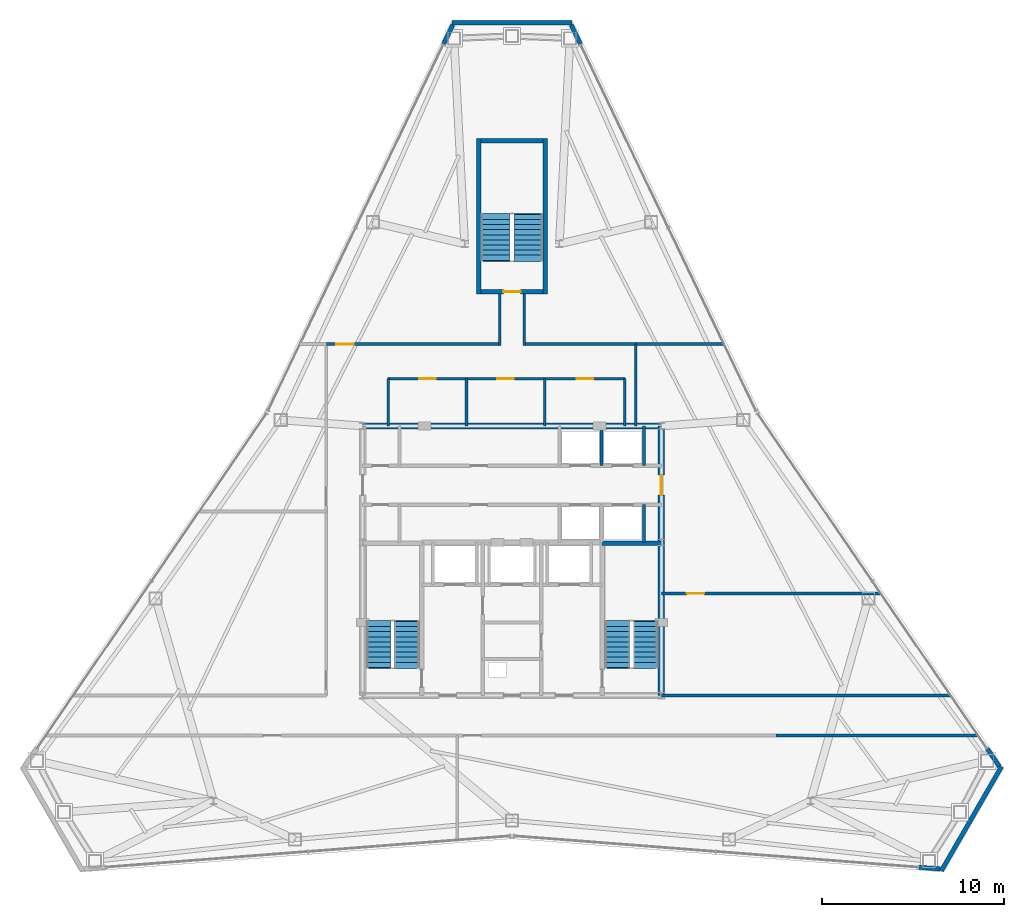
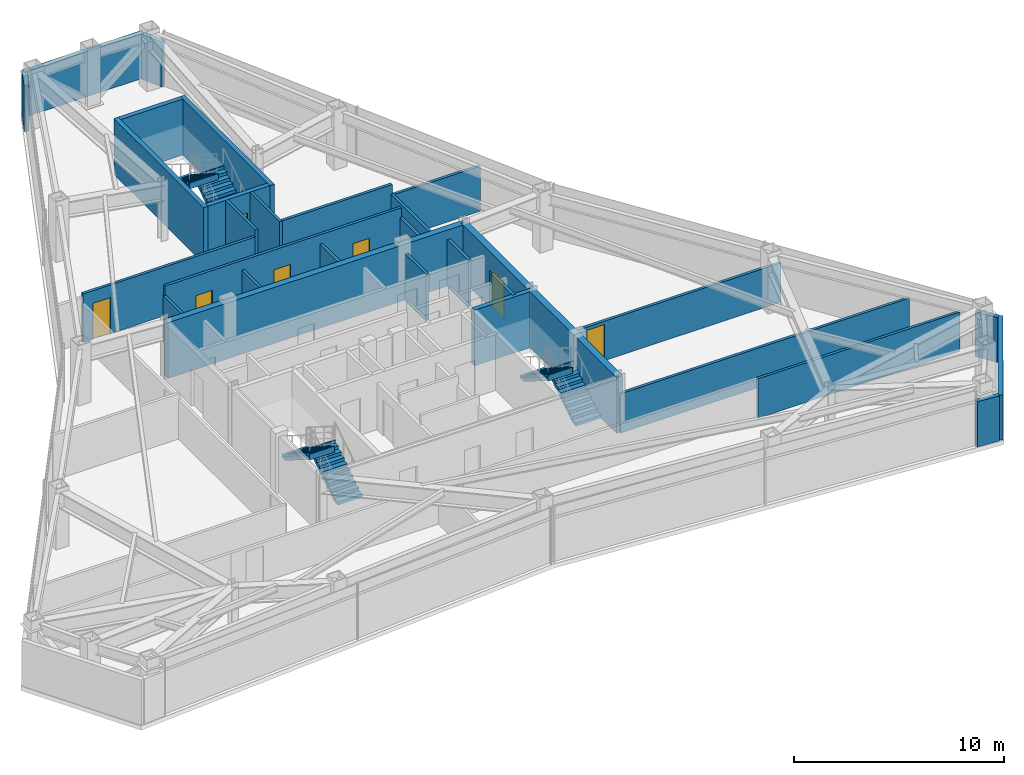
# One storey, part 10 of 11: 30 walls, 7 doors, 6 stair flights, 7 openings, 3 elements without a shape of their own.
"""IFC4 building model written with IfcOpenShell, lengths in metres."""

import ifcopenshell
import ifcopenshell.guid

model = None  # the IFC model being written
_history = None  # IfcOwnerHistory: only IFC2X3 demands one
_inside = {}  # id of a spatial element -> (the spatial element, [elements in it])
_under = {}  # id of a project, library or spatial element -> (it, [spatial elements below it])
_declared = {}  # id of a project -> (the project, [libraries it declares])
_typed = {}  # id of a type object -> (the type object, [elements of that type])
_made_of = {}  # id of a material, layer set ... -> (it, [elements and type objects made of it])


def new_model(schema):
    """Start an empty IFC model of exactly this schema.

    Asked for "IFC4X3", IfcOpenShell would pick the latest addendum, in which some entities
    have other attributes; the version numbers below select the first issue.
    IFC2X3 requires an IfcOwnerHistory on every rooted entity: one is made here for all.
    """
    global model, _history
    if schema == "IFC4X3":
        model = ifcopenshell.file(schema_version=(4, 3, 0, 0))
    else:
        model = ifcopenshell.file(schema=schema)
    _inside.clear()
    _under.clear()
    _declared.clear()
    _typed.clear()
    _made_of.clear()
    _history = None
    if model.schema == "IFC2X3":
        org = make("IfcOrganization", Name="unknown")
        user = make(
            "IfcPersonAndOrganization",
            ThePerson=make("IfcPerson", FamilyName="unknown"),
            TheOrganization=org,
        )
        app = make(
            "IfcApplication",
            ApplicationDeveloper=org,
            Version="unknown",
            ApplicationFullName="unknown",
            ApplicationIdentifier="unknown",
        )
        _history = make(
            "IfcOwnerHistory",
            OwningUser=user,
            OwningApplication=app,
            ChangeAction="ADDED",
            CreationDate=0,
        )
    return model


def make(cls, **values):
    """One entity of the class cls with the attributes given. An attribute that is None is left unset."""
    return model.create_entity(
        cls, **{name: value for name, value in values.items() if value is not None}
    )


def rooted(cls, **values):
    """An entity with a GlobalId (a new one), such as an element, a storey or a relation."""
    return make(cls, GlobalId=ifcopenshell.guid.new(), OwnerHistory=_history, **values)


def si_unit(unit_type, name, prefix=None):
    """IfcSIUnit, for example si_unit("LENGTHUNIT", "METRE", prefix="MILLI")."""
    return make("IfcSIUnit", UnitType=unit_type, Prefix=prefix, Name=name)


def assignment(units):
    """IfcUnitAssignment: the units of a project."""
    return None if units is None else make("IfcUnitAssignment", Units=units)


def point(xyz):
    """IfcCartesianPoint."""
    return None if xyz is None else make("IfcCartesianPoint", Coordinates=xyz)


def direction(xyz):
    """IfcDirection."""
    return None if xyz is None else make("IfcDirection", DirectionRatios=xyz)


def frame(location, z_axis=None, x_axis=None):
    """IfcAxis2Placement3D, a coordinate frame: its origin and axes. An axis left out is left unset."""
    return make(
        "IfcAxis2Placement3D",
        Location=point(location),
        Axis=direction(z_axis),
        RefDirection=direction(x_axis),
    )


def frame_2d(location, x_axis=None):
    """IfcAxis2Placement2D, a coordinate frame in the plane: its origin and x axis."""
    return make(
        "IfcAxis2Placement2D", Location=point(location), RefDirection=direction(x_axis)
    )


def origin():
    """The frame at (0, 0, 0) with its axes left unset."""
    return frame((0.0, 0.0, 0.0))


def place(relative_to, where):
    """IfcLocalPlacement: puts the frame where relative to a parent placement (None: the world)."""
    return make(
        "IfcLocalPlacement", PlacementRelTo=relative_to, RelativePlacement=where
    )


def context(
    kind, dimensions, precision=None, world=None, true_north=None, identifier=None
):
    """IfcGeometricRepresentationContext, for example the 3D "Model" context."""
    return make(
        "IfcGeometricRepresentationContext",
        ContextIdentifier=identifier,
        ContextType=kind,
        CoordinateSpaceDimension=dimensions,
        Precision=precision,
        WorldCoordinateSystem=world,
        TrueNorth=true_north,
    )


def subcontext(parent, identifier, kind, view, scale=None):
    """IfcGeometricRepresentationSubContext, for example "Body" below "Model"."""
    return make(
        "IfcGeometricRepresentationSubContext",
        ContextIdentifier=identifier,
        ContextType=kind,
        ParentContext=parent,
        TargetScale=scale,
        TargetView=view,
    )


def project(units=None, contexts=None):
    """IfcProject with its units and contexts."""
    return rooted(
        "IfcProject",
        Name="project",
        RepresentationContexts=contexts,
        UnitsInContext=assignment(units),
    )


def spatial(cls, under=None, at=None, **own):
    """A site, building, storey or space (cls), placed at a placement, below another one or the project."""
    s = rooted(cls, ObjectPlacement=at, **own)
    if under is not None:
        _under.setdefault(under.id(), (under, []))[1].append(s)
    return s


def polyline(points):
    """IfcPolyline through the points."""
    return make("IfcPolyline", Points=[point(p) for p in points])


def profile(cls, at=None, kind="AREA", **sizes):
    """A parametric profile (cls). Its sizes go by their IFC names, for example OverallWidth=200.0."""
    return make(cls, ProfileType=kind, Position=at, **sizes)


def rectangle(**sizes):
    """IfcRectangleProfileDef."""
    return profile("IfcRectangleProfileDef", **sizes)


def outline(outer, holes=None, kind="AREA"):
    """IfcArbitraryClosedProfileDef: a profile drawn as a closed curve; with holes, ...WithVoids."""
    if holes is None:
        return make("IfcArbitraryClosedProfileDef", ProfileType=kind, OuterCurve=outer)
    return make(
        "IfcArbitraryProfileDefWithVoids",
        ProfileType=kind,
        OuterCurve=outer,
        InnerCurves=holes,
    )


def extrude(swept, where, along, depth):
    """IfcExtrudedAreaSolid: the profile swept, set in the frame where, extruded along a direction by depth."""
    return make(
        "IfcExtrudedAreaSolid",
        SweptArea=swept,
        Position=where,
        ExtrudedDirection=direction(along),
        Depth=depth,
    )


def shape(context_of_items, identifier, shape_type, items):
    """IfcShapeRepresentation: the items that make up one representation, for example the "Body"."""
    return make(
        "IfcShapeRepresentation",
        ContextOfItems=context_of_items,
        RepresentationIdentifier=identifier,
        RepresentationType=shape_type,
        Items=items,
    )


def material(Name=None, Category=None):
    """IfcMaterial."""
    return make("IfcMaterial", Name=Name, Category=Category)


def layer(
    of_material, thickness, ventilated=None, Name=None, Category=None, Priority=None
):
    """IfcMaterialLayer: one layer of a wall or slab, of a material (None: an air gap)."""
    return make(
        "IfcMaterialLayer",
        Material=of_material,
        LayerThickness=thickness,
        IsVentilated=ventilated,
        Name=Name,
        Category=Category,
        Priority=Priority,
    )


def layer_set(layers, Name=None):
    """IfcMaterialLayerSet."""
    return make("IfcMaterialLayerSet", MaterialLayers=layers, LayerSetName=Name)


def made_of(thing, what):
    """Note that an element or type object is made of a material, layer set ...; save() writes the relation."""
    if what is not None:
        _made_of.setdefault(what.id(), (what, []))[1].append(thing)
    return thing


def type_object(cls, material=None, **own):
    """A type object (cls), such as IfcWallType, which elements share."""
    return made_of(rooted(cls, **own), material)


def element(
    cls,
    number,
    at=None,
    inside=None,
    cuts=None,
    type_object=None,
    material=None,
    context=None,
    identifier="Body",
    shape_type=None,
    held_by="IfcProductDefinitionShape",
    body=None,
    shapes=None,
    **own,
):
    """One element of the class cls, such as IfcWall. Its Tag is "e" and its number.

    at: its placement. inside: the storey or other place that contains it. cuts: it is an
    opening in that element (IfcRelVoidsElement). A single representation is given by context,
    identifier, shape_type and body (its items); several are given by shapes. held_by: the class
    of the entity that holds the representations. save() writes the other relations.
    """
    e = rooted(cls, Tag="e%d" % number, ObjectPlacement=at, **own)
    if body is not None:
        shapes = [shape(context, identifier, shape_type, body)]
    if shapes is not None:
        e.Representation = make(held_by, Representations=shapes)
    if inside is not None:
        _inside.setdefault(inside.id(), (inside, []))[1].append(e)
    if cuts is not None:
        rooted(
            "IfcRelVoidsElement", RelatingBuildingElement=cuts, RelatedOpeningElement=e
        )
    if type_object is not None:
        _typed.setdefault(type_object.id(), (type_object, []))[1].append(e)
    return made_of(e, material)


def fill(opening, filler):
    """IfcRelFillsElement: the door or window that sits in an opening."""
    return rooted(
        "IfcRelFillsElement",
        RelatingOpeningElement=opening,
        RelatedBuildingElement=filler,
    )


def aggregate(whole, parts):
    """IfcRelAggregates: a whole, such as a stair, and the parts it consists of."""
    return rooted("IfcRelAggregates", RelatingObject=whole, RelatedObjects=parts)


def save(model, path):
    """Write the relations noted so far, then the file.

    IfcRelAggregates (storeys below a building ...), IfcRelContainedInSpatialStructure (elements
    in a storey), IfcRelDefinesByType, IfcRelAssociatesMaterial and IfcRelDeclares: one each for
    every whole, place, type object, material and project.
    """
    for whole, parts in _under.values():
        aggregate(whole, parts)
    for where, things in _inside.values():
        rooted(
            "IfcRelContainedInSpatialStructure",
            RelatedElements=things,
            RelatingStructure=where,
        )
    for kind, things in _typed.values():
        rooted("IfcRelDefinesByType", RelatedObjects=things, RelatingType=kind)
    for what, things in _made_of.values():
        rooted("IfcRelAssociatesMaterial", RelatedObjects=things, RelatingMaterial=what)
    for by, libraries in _declared.values():
        rooted("IfcRelDeclares", RelatingContext=by, RelatedDefinitions=libraries)
    model.write(path)


model = new_model("IFC4")

# Units and contexts
model_context = context("Model", 3, precision=1e-05, world=origin(), true_north=direction((0.0, 1.0)))
body_context = subcontext(model_context, "Body", "Model", "MODEL_VIEW")
ifc_project = project(units=[si_unit("LENGTHUNIT", "METRE"), si_unit("AREAUNIT", "SQUARE_METRE"), si_unit("VOLUMEUNIT", "CUBIC_METRE"), si_unit("PLANEANGLEUNIT", "RADIAN"), si_unit("MASSUNIT", "GRAM", prefix="KILO")], contexts=[model_context])

# Site, building, storey
site_placement = place(None, origin())
site = spatial("IfcSite", under=ifc_project, at=site_placement, CompositionType="ELEMENT")
building_placement = place(site_placement, origin())
building = spatial("IfcBuilding", under=site, at=building_placement, Name="Varakhsha Concourse Tower", CompositionType="ELEMENT")
storey_placement = place(building_placement, frame((0.0, 0.0, 215.39990234375)))
storey = spatial("IfcBuildingStorey", under=building, at=storey_placement, Name="L61", CompositionType="ELEMENT", Elevation=215.39990234375)

# Wall
ifc_material_1 = material(Name="Concrete fc 65 MPa", Category="concrete")
ifc_layer_1 = layer(ifc_material_1, 0.35009765625, Name="WL-CORE-350")
ifc_layer_set_1 = layer_set([ifc_layer_1], Name="Concrete fc 65 MPa")
wall_type_1 = type_object("IfcWallType", Name="WL-CORE-350", PredefinedType="SHEAR", material=ifc_layer_set_1)
wall_1_placement = place(storey_placement, frame((31.800048828125, 31.199951171875, 0.0), z_axis=(0.0, 0.0, 1.0), x_axis=(1.0, 0.0, 0.0)))
element("IfcWall", 1, at=wall_1_placement, inside=storey, type_object=wall_type_1, Name="L61 Wall CWALL-N-L61", PredefinedType="SHEAR", context=body_context, shape_type="SweptSolid", body=[
    extrude(rectangle(XDim=16.39990234375, YDim=0.35009765625, at=frame_2d((8.199951171875, 0.0))), origin(), (0.0, 0.0, 1.0), 3.25),
])

# Wall, opening, door
wall_2_placement = place(storey_placement, frame((48.199951171875, 16.39990234375, 0.0), z_axis=(0.0, 0.0, 1.0), x_axis=(0.0, 1.0, 0.0)))
wall_2 = element("IfcWall", 2, at=wall_2_placement, inside=storey, type_object=wall_type_1, Name="L61 Wall CWALL-E-L61", PredefinedType="SHEAR", context=body_context, shape_type="SweptSolid", body=[
    extrude(rectangle(XDim=14.800048828125, YDim=0.35009765625, at=frame_2d((7.39990234375, 0.0))), origin(), (0.0, 0.0, 1.0), 3.25),
])
opening_1_placement = place(wall_2_placement, frame((11.0, 0.0, 0.0)))
opening_1 = element("IfcOpeningElement", 3, at=opening_1_placement, cuts=wall_2, Name="Opening DL-01", PredefinedType="OPENING", context=body_context, shape_type="SweptSolid", body=[
    extrude(rectangle(XDim=1.10009765625, YDim=2.14990234375, at=frame_2d((0.550048828125, 1.074951171875))), frame((0.0, 0.18505859375, 0.0), z_axis=(0.0, -1.0, 0.0), x_axis=(1.0, 0.0, 0.0)), (0.0, 0.0, 1.0), 0.3701171875),
])
ifc_material_2 = material(Name="Anodised Bronze Architectural Aluminium AA 6063-T6", Category="aluminium")
door_type_1 = type_object("IfcDoorType", Name="DR-LOB-1100", OperationType="NOTDEFINED", PredefinedType="DOOR", material=ifc_material_2)
door_1_placement = place(opening_1_placement, origin())
door_1 = element("IfcDoor", 4, at=door_1_placement, inside=storey, type_object=door_type_1, Name="L61 Lift Lobby East Concourse Door", OperationType="SINGLE_SWING_RIGHT", OverallHeight=2.14990234375, OverallWidth=1.10009765625, PredefinedType="DOOR", context=body_context, shape_type="SweptSolid", body=[
    extrude(rectangle(XDim=1.10009765625, YDim=2.14990234375, at=frame_2d((0.550048828125, 1.074951171875))), frame((0.0, 0.02490234375, 0.0), z_axis=(0.0, -1.0, 0.0), x_axis=(1.0, 0.0, 0.0)), (0.0, 0.0, 1.0), 0.050048828125),
])
fill(opening_1, door_1)

# Walls
ifc_material_3 = material(Name="Concrete fc 45 MPa", Category="concrete")
ifc_layer_2 = layer(ifc_material_3, 0.239990234375, Name="WL-EXT-CRN-240")
ifc_layer_set_2 = layer_set([ifc_layer_2], Name="Concrete fc 45 MPa")
wall_type_2 = type_object("IfcWallType", Name="WL-EXT-CRN-240", PredefinedType="SHEAR", material=ifc_layer_set_2)
wall_3_placement = place(storey_placement, frame((36.699951171875, 53.33740234375, 0.0), z_axis=(0.0, 0.0, 1.0), x_axis=(1.0, 0.0, 0.0)))
element("IfcWall", 5, at=wall_3_placement, inside=storey, type_object=wall_type_2, Name="L61 Chamfer Wind-Corner Insulated Wall F1", PredefinedType="SHEAR", context=body_context, shape_type="SweptSolid", body=[
    extrude(rectangle(XDim=6.60009765625, YDim=0.239990234375, at=frame_2d((3.300048828125, 0.0))), origin(), (0.0, 0.0, 1.0), 2.623046875),
])
for number, where, z_axis, x_axis, name in (
    (6, (36.749267578125, 53.22998046875, 0.0), (0.0, 0.0, 1.0), (-0.431840245491, -0.901950110801, 0.0), "L61 Wind-Corner Shoulder Wall F2"),
    (7, (62.351318359375, 6.959716796875, 0.0), (0.0, 0.0, 1.0), (0.997034771767, -0.076952348157, 0.0), "L61 Wind-Corner Shoulder Wall F6"),
):
    element("IfcWall", number, at=place(storey_placement, frame(where, z_axis=z_axis, x_axis=x_axis)), inside=storey, type_object=wall_type_2, Name=name, PredefinedType="SHEAR", context=body_context, shape_type="SweptSolid", body=[
        extrude(rectangle(XDim=1.16748046875, YDim=0.239990234375, at=frame_2d((0.583740234375, 0.0))), origin(), (0.0, 0.0, 1.0), 2.623046875),
    ])
wall_4_placement = place(storey_placement, frame((66.8837890625, 12.489013671875, 0.0), z_axis=(0.0, 0.0, 1.0), x_axis=(-0.500002094529, -0.866024194504, 0.0)))
element("IfcWall", 8, at=wall_4_placement, inside=storey, type_object=wall_type_2, Name="L61 Chamfer Wind-Corner Insulated Wall F7", PredefinedType="SHEAR", context=body_context, shape_type="SweptSolid", body=[
    extrude(rectangle(XDim=6.60009765625, YDim=0.239990234375, at=frame_2d((3.300048828125, 0.0))), origin(), (0.0, 0.0, 1.0), 2.623046875),
])
for number, where, z_axis, x_axis, name in (
    (9, (66.76611328125, 12.500244140625, 0.0), (0.0, 0.0, 1.0), (-0.565223534604, 0.824937789127, 0.0), "L61 Wind-Corner Shoulder Wall F8"),
    (10, (43.7548828125, 52.177001953125, 0.0), (0.0, 0.0, 1.0), (-0.431840245491, 0.901950110801, 0.0), "L61 Wind-Corner Shoulder Wall F9"),
):
    element("IfcWall", number, at=place(storey_placement, frame(where, z_axis=z_axis, x_axis=x_axis)), inside=storey, type_object=wall_type_2, Name=name, PredefinedType="SHEAR", context=body_context, shape_type="SweptSolid", body=[
        extrude(rectangle(XDim=1.16748046875, YDim=0.239990234375, at=frame_2d((0.583740234375, 0.0))), origin(), (0.0, 0.0, 1.0), 2.623046875),
    ])

# Wall, openings, doors
ifc_material_4 = material(Name="Fire-Rated Type X Gypsum Partition Assembly", Category="gypsum")
ifc_layer_3 = layer(ifc_material_4, 0.14990234375, Name="WL-PART-150")
ifc_layer_set_3 = layer_set([ifc_layer_3], Name="Fire-Rated Type X Gypsum Partition Assembly")
wall_type_3 = type_object("IfcWallType", Name="WL-PART-150", PredefinedType="PARTITIONING", material=ifc_layer_set_3)
wall_5_placement = place(storey_placement, frame((33.199951171875, 33.800048828125, 0.0), z_axis=(0.0, 0.0, 1.0), x_axis=(1.0, 0.0, 0.0)))
wall_5 = element("IfcWall", 11, at=wall_5_placement, inside=storey, type_object=wall_type_3, Name="L61 Wall NBOH-N-L61", PredefinedType="PARTITIONING", context=body_context, shape_type="SweptSolid", body=[
    extrude(rectangle(XDim=13.0, YDim=0.14990234375, at=frame_2d((6.5, 0.0))), origin(), (0.0, 0.0, 1.0), 3.25),
])
opening_2_placement = place(wall_5_placement, frame((1.699951171875, 0.0, 0.0)))
opening_2 = element("IfcOpeningElement", 12, at=opening_2_placement, cuts=wall_5, Name="Opening DF-06", PredefinedType="OPENING", context=body_context, shape_type="SweptSolid", body=[
    extrude(rectangle(XDim=0.89990234375, YDim=2.10009765625, at=frame_2d((0.449951171875, 1.050048828125))), frame((0.0, 0.0849609375, 0.0), z_axis=(0.0, -1.0, 0.0), x_axis=(1.0, 0.0, 0.0)), (0.0, 0.0, 1.0), 0.169921875),
])
opening_3_placement = place(wall_5_placement, frame((6.0, 0.0, 0.0)))
opening_3 = element("IfcOpeningElement", 13, at=opening_3_placement, cuts=wall_5, Name="Opening DF-06", PredefinedType="OPENING", context=body_context, shape_type="SweptSolid", body=[
    extrude(rectangle(XDim=0.89990234375, YDim=2.10009765625, at=frame_2d((0.449951171875, 1.050048828125))), frame((0.0, 0.0849609375, 0.0), z_axis=(0.0, -1.0, 0.0), x_axis=(1.0, 0.0, 0.0)), (0.0, 0.0, 1.0), 0.169921875),
])
opening_4_placement = place(wall_5_placement, frame((10.35009765625, 0.0, 0.0)))
opening_4 = element("IfcOpeningElement", 14, at=opening_4_placement, cuts=wall_5, Name="Opening DF-06", PredefinedType="OPENING", context=body_context, shape_type="SweptSolid", body=[
    extrude(rectangle(XDim=0.89990234375, YDim=2.10009765625, at=frame_2d((0.449951171875, 1.050048828125))), frame((0.0, 0.0849609375, 0.0), z_axis=(0.0, -1.0, 0.0), x_axis=(1.0, 0.0, 0.0)), (0.0, 0.0, 1.0), 0.169921875),
])
ifc_material_5 = material(Name="Hollow Galvanised Steel Fire Door Assembly", Category="steel")
door_type_2 = type_object("IfcDoorType", Name="DR-FD60-900", OperationType="NOTDEFINED", PredefinedType="DOOR", material=ifc_material_5)
door_2_placement = place(opening_2_placement, origin())
door_2 = element("IfcDoor", 15, at=door_2_placement, inside=storey, type_object=door_type_2, Name="L61 Men Restroom WC Door", OperationType="SINGLE_SWING_LEFT", OverallHeight=2.10009765625, OverallWidth=0.89990234375, PredefinedType="DOOR", context=body_context, shape_type="SweptSolid", body=[
    extrude(rectangle(XDim=0.89990234375, YDim=2.10009765625, at=frame_2d((0.449951171875, 1.050048828125))), frame((0.0, 0.02490234375, 0.0), z_axis=(0.0, -1.0, 0.0), x_axis=(1.0, 0.0, 0.0)), (0.0, 0.0, 1.0), 0.050048828125),
])
fill(opening_2, door_2)
door_3_placement = place(opening_3_placement, origin())
door_3 = element("IfcDoor", 16, at=door_3_placement, inside=storey, type_object=door_type_2, Name="L61 Women Restroom WC Door", OperationType="SINGLE_SWING_RIGHT", OverallHeight=2.10009765625, OverallWidth=0.89990234375, PredefinedType="DOOR", context=body_context, shape_type="SweptSolid", body=[
    extrude(rectangle(XDim=0.89990234375, YDim=2.10009765625, at=frame_2d((0.449951171875, 1.050048828125))), frame((0.0, 0.02490234375, 0.0), z_axis=(0.0, -1.0, 0.0), x_axis=(1.0, 0.0, 0.0)), (0.0, 0.0, 1.0), 0.050048828125),
])
fill(opening_3, door_3)
door_4_placement = place(opening_4_placement, origin())
door_4 = element("IfcDoor", 17, at=door_4_placement, inside=storey, type_object=door_type_2, Name="L61 Accessible WC Door", OperationType="SINGLE_SWING_LEFT", OverallHeight=2.10009765625, OverallWidth=0.89990234375, PredefinedType="DOOR", context=body_context, shape_type="SweptSolid", body=[
    extrude(rectangle(XDim=0.89990234375, YDim=2.10009765625, at=frame_2d((0.449951171875, 1.050048828125))), frame((0.0, 0.02490234375, 0.0), z_axis=(0.0, -1.0, 0.0), x_axis=(1.0, 0.0, 0.0)), (0.0, 0.0, 1.0), 0.050048828125),
])
fill(opening_4, door_4)

# Walls
for number, where, z_axis, x_axis, name in (
    (18, (33.199951171875, 31.199951171875, 0.0), (0.0, 0.0, 1.0), (0.0, 1.0, 0.0), "L61 Wall NBOH-W-L61"),
    (19, (46.199951171875, 31.199951171875, 0.0), (0.0, 0.0, 1.0), (0.0, 1.0, 0.0), "L61 Wall NBOH-E-L61"),
    (20, (37.5, 31.199951171875, 0.0), (0.0, 0.0, 1.0), (0.0, 1.0, 0.0), "L61 Wall NBOH-D1-L61"),
    (21, (41.800048828125, 31.199951171875, 0.0), (0.0, 0.0, 1.0), (0.0, 1.0, 0.0), "L61 Wall NBOH-D2-L61"),
):
    element("IfcWall", number, at=place(storey_placement, frame(where, z_axis=z_axis, x_axis=x_axis)), inside=storey, type_object=wall_type_3, Name=name, PredefinedType="PARTITIONING", context=body_context, shape_type="SweptSolid", body=[
        extrude(rectangle(XDim=2.60009765625, YDim=0.14990234375, at=frame_2d((1.300048828125, 0.0))), origin(), (0.0, 0.0, 1.0), 2.705078125),
    ])
wall_6_placement = place(storey_placement, frame((54.5, 14.199951171875, 0.0), z_axis=(0.0, 0.0, 1.0), x_axis=(1.0, 0.0, 0.0)))
element("IfcWall", 22, at=wall_6_placement, inside=storey, type_object=wall_type_3, Name="L61 Wall CRW-SGAL-SE-L61", PredefinedType="PARTITIONING", context=body_context, shape_type="SweptSolid", body=[
    extrude(rectangle(XDim=11.095458984375, YDim=0.14990234375, at=frame_2d((5.5478515625, 0.0))), origin(), (0.0, 0.0, 1.0), 2.2919921875),
])
wall_7_placement = place(storey_placement, frame((48.199951171875, 16.39990234375, 0.0), z_axis=(0.0, 0.0, 1.0), x_axis=(1.0, 0.0, 0.0)))
element("IfcWall", 23, at=wall_7_placement, inside=storey, type_object=wall_type_3, Name="L61 Wall CRW-SGAL-NE-L61", PredefinedType="PARTITIONING", context=body_context, shape_type="SweptSolid", body=[
    extrude(rectangle(XDim=15.888427734375, YDim=0.14990234375, at=frame_2d((7.9443359375, 0.0))), origin(), (0.0, 0.0, 1.0), 2.2919921875),
])

# Wall, opening, door
wall_8_placement = place(storey_placement, frame((29.800048828125, 35.699951171875, 0.0), z_axis=(0.0, 0.0, 1.0), x_axis=(1.0, 0.0, 0.0)))
wall_8 = element("IfcWall", 24, at=wall_8_placement, inside=storey, type_object=wall_type_3, Name="L61 Wall CRW-N-L61", PredefinedType="PARTITIONING", context=body_context, shape_type="SweptSolid", body=[
    extrude(rectangle(XDim=9.449951171875, YDim=0.14990234375, at=frame_2d((4.72509765625, 0.0))), origin(), (0.0, 0.0, 1.0), 2.8330078125),
])
opening_5_placement = place(wall_8_placement, frame((0.550048828125, 0.0, 0.0)))
opening_5 = element("IfcOpeningElement", 25, at=opening_5_placement, cuts=wall_8, Name="Opening DF-05", PredefinedType="OPENING", context=body_context, shape_type="SweptSolid", body=[
    extrude(rectangle(XDim=0.949951171875, YDim=2.10009765625, at=frame_2d((0.47509765625, 1.050048828125))), frame((0.0, 0.0849609375, 0.0), z_axis=(0.0, -1.0, 0.0), x_axis=(1.0, 0.0, 0.0)), (0.0, 0.0, 1.0), 0.169921875),
])
door_type_3 = type_object("IfcDoorType", Name="DR-FD60-950", OperationType="NOTDEFINED", PredefinedType="DOOR", material=ifc_material_5)
door_5_placement = place(opening_5_placement, origin())
door_5 = element("IfcDoor", 26, at=door_5_placement, inside=storey, type_object=door_type_3, Name="L61 Mountain View Portfolio Risk Office L61-N1 Door", OperationType="SINGLE_SWING_LEFT", OverallHeight=2.10009765625, OverallWidth=0.949951171875, PredefinedType="DOOR", context=body_context, shape_type="SweptSolid", body=[
    extrude(rectangle(XDim=0.949951171875, YDim=2.10009765625, at=frame_2d((0.47509765625, 1.050048828125))), frame((0.0, 0.02490234375, 0.0), z_axis=(0.0, -1.0, 0.0), x_axis=(1.0, 0.0, 0.0)), (0.0, 0.0, 1.0), 0.050048828125),
])
fill(opening_5, door_5)

# Walls
wall_9_placement = place(storey_placement, frame((40.75, 35.699951171875, 0.0), z_axis=(0.0, 0.0, 1.0), x_axis=(1.0, 0.0, 0.0)))
element("IfcWall", 27, at=wall_9_placement, inside=storey, type_object=wall_type_3, Name="L61 Wall CRW-N-L61-B", PredefinedType="PARTITIONING", context=body_context, shape_type="SweptSolid", body=[
    extrude(rectangle(XDim=6.050048828125, YDim=0.14990234375, at=frame_2d((3.02490234375, 0.0))), origin(), (0.0, 0.0, 1.0), 3.25),
])
wall_10_placement = place(storey_placement, frame((46.800048828125, 31.199951171875, 0.0), z_axis=(0.0, 0.0, 1.0), x_axis=(0.0, 1.0, 0.0)))
element("IfcWall", 28, at=wall_10_placement, inside=storey, type_object=wall_type_3, Name="L61 Wall CRW-NE-L61", PredefinedType="PARTITIONING", context=body_context, shape_type="SweptSolid", body=[
    extrude(rectangle(XDim=4.5, YDim=0.14990234375, at=frame_2d((2.25, 0.0))), origin(), (0.0, 0.0, 1.0), 2.705078125),
])
wall_11_placement = place(storey_placement, frame((46.800048828125, 35.699951171875, 0.0), z_axis=(0.0, 0.0, 1.0), x_axis=(1.0, 0.0, 0.0)))
element("IfcWall", 29, at=wall_11_placement, inside=storey, type_object=wall_type_3, Name="L61 Wall ODIV-EBN-L61", PredefinedType="PARTITIONING", context=body_context, shape_type="SweptSolid", body=[
    extrude(rectangle(XDim=4.8388671875, YDim=0.14990234375, at=frame_2d((2.41943359375, 0.0))), origin(), (0.0, 0.0, 1.0), 2.628173828125),
])

# Wall, opening, door
wall_12_placement = place(storey_placement, frame((48.199951171875, 22.0, 0.0), z_axis=(0.0, 0.0, 1.0), x_axis=(1.0, 0.0, 0.0)))
wall_12 = element("IfcWall", 30, at=wall_12_placement, inside=storey, type_object=wall_type_3, Name="L61 Wall ODIV-E1-L61", PredefinedType="PARTITIONING", context=body_context, shape_type="SweptSolid", body=[
    extrude(rectangle(XDim=12.052001953125, YDim=0.14990234375, at=frame_2d((6.02587890625, 0.0))), origin(), (0.0, 0.0, 1.0), 2.2919921875),
])
opening_6_placement = place(wall_12_placement, frame((1.39990234375, 0.0, 0.0)))
opening_6 = element("IfcOpeningElement", 31, at=opening_6_placement, cuts=wall_12, Name="Opening DF-05", PredefinedType="OPENING", context=body_context, shape_type="SweptSolid", body=[
    extrude(rectangle(XDim=0.949951171875, YDim=2.10009765625, at=frame_2d((0.47509765625, 1.050048828125))), frame((0.0, 0.0849609375, 0.0), z_axis=(0.0, -1.0, 0.0), x_axis=(1.0, 0.0, 0.0)), (0.0, 0.0, 1.0), 0.169921875),
])
door_6_placement = place(opening_6_placement, origin())
door_6 = element("IfcDoor", 32, at=door_6_placement, inside=storey, type_object=door_type_3, Name="L61 East Suite Interconnect Door 1", OperationType="SINGLE_SWING_LEFT", OverallHeight=2.10009765625, OverallWidth=0.949951171875, PredefinedType="DOOR", context=body_context, shape_type="SweptSolid", body=[
    extrude(rectangle(XDim=0.949951171875, YDim=2.10009765625, at=frame_2d((0.47509765625, 1.050048828125))), frame((0.0, 0.02490234375, 0.0), z_axis=(0.0, -1.0, 0.0), x_axis=(1.0, 0.0, 0.0)), (0.0, 0.0, 1.0), 0.050048828125),
])
fill(opening_6, door_6)

# Walls
for number, where, z_axis, x_axis, name in (
    (33, (39.324951171875, 35.625, 0.0), (0.0, 0.0, 1.0), (0.0, 1.0, 0.0), "L61 Wall STUB-W-L61"),
    (34, (40.675048828125, 35.625, 0.0), (0.0, 0.0, 1.0), (0.0, 1.0, 0.0), "L61 Wall STUB-E-L61"),
):
    element("IfcWall", number, at=place(storey_placement, frame(where, z_axis=z_axis, x_axis=x_axis)), inside=storey, type_object=wall_type_3, Name=name, PredefinedType="PARTITIONING", context=body_context, shape_type="SweptSolid", body=[
        extrude(rectangle(XDim=2.824951171875, YDim=0.14990234375, at=frame_2d((1.41259765625, 0.0))), origin(), (0.0, 0.0, 1.0), 3.25),
    ])
ifc_layer_4 = layer(ifc_material_4, 0.199951171875, Name="WL-SHAFT-220")
ifc_layer_set_4 = layer_set([ifc_layer_4], Name="Fire-Rated Type X Gypsum Partition Assembly")
wall_type_4 = type_object("IfcWallType", Name="WL-SHAFT-220", PredefinedType="SOLIDWALL", material=ifc_layer_set_4)
for number, where, z_axis, x_axis, name in (
    (35, (44.919921875, 29.02001953125, 0.0), (0.0, 0.0, 1.0), (0.0, 1.0, 0.0), "L61 Wall SHW-LF-P09-E-L61"),
    (36, (47.239990234375, 29.02001953125, 0.0), (0.0, 0.0, 1.0), (0.0, 1.0, 0.0), "L61 Wall SHW-LF-P10-E-L61"),
):
    element("IfcWall", number, at=place(storey_placement, frame(where, z_axis=z_axis, x_axis=x_axis)), inside=storey, type_object=wall_type_4, Name=name, PredefinedType="SOLIDWALL", context=body_context, shape_type="SweptSolid", body=[
        extrude(rectangle(XDim=2.179931640625, YDim=0.159912109375, at=frame_2d((1.08984375, 0.0))), origin(), (0.0, 0.0, 1.0), 2.705078125),
    ])
wall_13_placement = place(storey_placement, frame((47.239990234375, 24.800048828125, 0.0), z_axis=(0.0, 0.0, 1.0), x_axis=(0.0, 1.0, 0.0)))
element("IfcWall", 37, at=wall_13_placement, inside=storey, type_object=wall_type_4, Name="L61 Wall SHW-LF-P12-E-L61", PredefinedType="SOLIDWALL", context=body_context, shape_type="SweptSolid", body=[
    extrude(rectangle(XDim=2.079833984375, YDim=0.159912109375, at=frame_2d((1.0400390625, 0.0))), origin(), (0.0, 0.0, 1.0), 3.25),
])
ifc_layer_5 = layer(ifc_material_3, 0.25, Name="WL-STAIR-250")
ifc_layer_set_5 = layer_set([ifc_layer_5], Name="Concrete fc 45 MPa")
wall_type_5 = type_object("IfcWallType", Name="WL-STAIR-250", PredefinedType="SHEAR", material=ifc_layer_set_5)
wall_14_placement = place(storey_placement, frame((44.955078125, 24.7548828125, 0.0), z_axis=(0.0, 0.0, 1.0), x_axis=(1.0, 0.0, 0.0)))
element("IfcWall", 38, at=wall_14_placement, inside=storey, type_object=wall_type_5, Name="L61 Wall SWALL-ST2-N-L61", PredefinedType="SHEAR", context=body_context, shape_type="SweptSolid", body=[
    extrude(rectangle(XDim=3.244873046875, YDim=0.25, at=frame_2d((1.62255859375, 0.0))), origin(), (0.0, 0.0, 1.0), 3.25),
])
for number, where, z_axis, x_axis, name in (
    (39, (38.175048828125, 38.449951171875, 0.0), (0.0, 0.0, 1.0), (0.0, 1.0, 0.0), "L61 Wall SWALL-ST5-W-L61"),
    (40, (41.824951171875, 38.449951171875, 0.0), (0.0, 0.0, 1.0), (0.0, 1.0, 0.0), "L61 Wall SWALL-ST5-E-L61"),
):
    element("IfcWall", number, at=place(storey_placement, frame(where, z_axis=z_axis, x_axis=x_axis)), inside=storey, type_object=wall_type_5, Name=name, PredefinedType="SHEAR", context=body_context, shape_type="SweptSolid", body=[
        extrude(rectangle(XDim=8.550048828125, YDim=0.25, at=frame_2d((4.27490234375, 0.0))), origin(), (0.0, 0.0, 1.0), 3.25),
    ])

# Wall, opening, door
wall_15_placement = place(storey_placement, frame((38.300048828125, 38.574951171875, 0.0), z_axis=(0.0, 0.0, 1.0), x_axis=(1.0, 0.0, 0.0)))
wall_15 = element("IfcWall", 41, at=wall_15_placement, inside=storey, type_object=wall_type_5, Name="L61 Wall SWALL-ST5-S-L61", PredefinedType="SHEAR", context=body_context, shape_type="SweptSolid", body=[
    extrude(rectangle(XDim=3.39990234375, YDim=0.25, at=frame_2d((1.699951171875, 0.0))), origin(), (0.0, 0.0, 1.0), 3.25),
])
opening_7_placement = place(wall_15_placement, frame((1.22509765625, 0.0, 0.0)))
opening_7 = element("IfcOpeningElement", 42, at=opening_7_placement, cuts=wall_15, Name="Opening DF-03", PredefinedType="OPENING", context=body_context, shape_type="SweptSolid", body=[
    extrude(rectangle(XDim=0.949951171875, YDim=2.10009765625, at=frame_2d((0.47509765625, 1.050048828125))), frame((0.0, 0.135009765625, 0.0), z_axis=(0.0, -1.0, 0.0), x_axis=(1.0, 0.0, 0.0)), (0.0, 0.0, 1.0), 0.27001953125),
])
door_type_4 = type_object("IfcDoorType", Name="DR-FD90-950", OperationType="NOTDEFINED", PredefinedType="DOOR", material=ifc_material_5)
door_7_placement = place(opening_7_placement, origin())
door_7 = element("IfcDoor", 43, at=door_7_placement, inside=storey, type_object=door_type_4, Name="L61 Stair ST5 Fire Door", OperationType="SINGLE_SWING_RIGHT", OverallHeight=2.10009765625, OverallWidth=0.949951171875, PredefinedType="DOOR", context=body_context, shape_type="SweptSolid", body=[
    extrude(rectangle(XDim=0.949951171875, YDim=2.10009765625, at=frame_2d((0.47509765625, 1.050048828125))), frame((0.0, 0.02490234375, 0.0), z_axis=(0.0, -1.0, 0.0), x_axis=(1.0, 0.0, 0.0)), (0.0, 0.0, 1.0), 0.050048828125),
])
fill(opening_7, door_7)

# Wall
wall_16_placement = place(storey_placement, frame((38.300048828125, 46.875, 0.0), z_axis=(0.0, 0.0, 1.0), x_axis=(1.0, 0.0, 0.0)))
element("IfcWall", 44, at=wall_16_placement, inside=storey, type_object=wall_type_5, Name="L61 Wall SWALL-ST5-N-L61", PredefinedType="SHEAR", context=body_context, shape_type="SweptSolid", body=[
    extrude(rectangle(XDim=3.39990234375, YDim=0.25, at=frame_2d((1.699951171875, 0.0))), origin(), (0.0, 0.0, 1.0), 3.25),
])

# Stair, stair flights
stair_type_1 = type_object("IfcStairType", Name="ST-DOGLEG-1360", PredefinedType="HALF_TURN_STAIR", material=ifc_material_3)
stair_1_placement = place(storey_placement, origin())
stair_1 = element("IfcStair", 45, at=stair_1_placement, inside=storey, type_object=stair_type_1, Name="L61 Protected Exit Stair ST1", PredefinedType="HALF_TURN_STAIR")
stair_flight_type_1 = type_object("IfcStairFlightType", Name="STF-1360-R1750", PredefinedType="STRAIGHT", material=ifc_material_3)
stair_flight_1_placement = place(storey_placement, frame((34.239990234375, 17.93994140625, 0.0), z_axis=(0.0, 0.0, 1.0), x_axis=(0.0, 1.0, 0.0)))
stair_flight_1 = element("IfcStairFlight", 46, at=stair_flight_1_placement, type_object=stair_flight_type_1, Name="ST1 flight 1", NumberOfRisers=10, NumberOfTreads=9, PredefinedType="STRAIGHT", RiserHeight=0.175, TreadLength=0.28, context=body_context, shape_type="SweptSolid", body=[
    extrude(outline(polyline([(-0.06005859375, 0.0), (-0.06005859375, 0.175048828125), (0.0, 0.175048828125), (0.280029296875, 0.175048828125), (0.280029296875, 0.35009765625), (0.56005859375, 0.35009765625), (0.56005859375, 0.52490234375), (0.840087890625, 0.52490234375), (0.840087890625, 0.699951171875), (1.1201171875, 0.699951171875), (1.1201171875, 0.875), (1.39990234375, 0.875), (1.39990234375, 1.050048828125), (1.679931640625, 1.050048828125), (1.679931640625, 1.22509765625), (1.9599609375, 1.22509765625), (1.9599609375, 1.39990234375), (2.239990234375, 1.39990234375), (2.239990234375, 1.574951171875), (2.52001953125, 1.574951171875), (2.52001953125, 1.75), (2.580078125, 1.75), (2.580078125, 1.398193359375), (2.52001953125, 1.398193359375), (0.28271484375, 0.0), (-0.06005859375, 0.0)])), frame((0.0, 0.68017578125, 0.0), z_axis=(0.0, -1.0, 0.0), x_axis=(1.0, 0.0, 0.0)), (0.0, 0.0, 1.0), 1.360107421875),
])
stair_flight_2_placement = place(storey_placement, frame((32.679931640625, 20.4599609375, 1.75), z_axis=(0.0, 0.0, 1.0), x_axis=(0.0, -1.0, 0.0)))
stair_flight_2 = element("IfcStairFlight", 47, at=stair_flight_2_placement, type_object=stair_flight_type_1, Name="ST1 flight 2", NumberOfRisers=10, NumberOfTreads=9, PredefinedType="STRAIGHT", RiserHeight=0.175, TreadLength=0.28, context=body_context, shape_type="SweptSolid", body=[
    extrude(outline(polyline([(-0.06005859375, 0.0), (-0.06005859375, 0.175048828125), (0.0, 0.175048828125), (0.280029296875, 0.175048828125), (0.280029296875, 0.35009765625), (0.56005859375, 0.35009765625), (0.56005859375, 0.52490234375), (0.840087890625, 0.52490234375), (0.840087890625, 0.699951171875), (1.1201171875, 0.699951171875), (1.1201171875, 0.875), (1.39990234375, 0.875), (1.39990234375, 1.050048828125), (1.679931640625, 1.050048828125), (1.679931640625, 1.22509765625), (1.9599609375, 1.22509765625), (1.9599609375, 1.39990234375), (2.239990234375, 1.39990234375), (2.239990234375, 1.574951171875), (2.52001953125, 1.574951171875), (2.52001953125, 1.75), (2.580078125, 1.75), (2.580078125, 1.398193359375), (2.52001953125, 1.398193359375), (0.28271484375, 0.0), (-0.06005859375, 0.0)])), frame((0.0, 0.68017578125, 0.0), z_axis=(0.0, -1.0, 0.0), x_axis=(1.0, 0.0, 0.0)), (0.0, 0.0, 1.0), 1.360107421875),
])
aggregate(stair_1, [stair_flight_1, stair_flight_2])

stair_2_placement = place(storey_placement, origin())
stair_2 = element("IfcStair", 48, at=stair_2_placement, inside=storey, type_object=stair_type_1, Name="L61 Protected Exit Stair ST2", PredefinedType="HALF_TURN_STAIR")
stair_flight_3_placement = place(storey_placement, frame((47.340087890625, 17.93994140625, 0.0), z_axis=(0.0, 0.0, 1.0), x_axis=(0.0, 1.0, 0.0)))
stair_flight_3 = element("IfcStairFlight", 49, at=stair_flight_3_placement, type_object=stair_flight_type_1, Name="ST2 flight 1", NumberOfRisers=10, NumberOfTreads=9, PredefinedType="STRAIGHT", RiserHeight=0.175, TreadLength=0.28, context=body_context, shape_type="SweptSolid", body=[
    extrude(outline(polyline([(-0.06005859375, 0.0), (-0.06005859375, 0.175048828125), (0.0, 0.175048828125), (0.280029296875, 0.175048828125), (0.280029296875, 0.35009765625), (0.56005859375, 0.35009765625), (0.56005859375, 0.52490234375), (0.840087890625, 0.52490234375), (0.840087890625, 0.699951171875), (1.1201171875, 0.699951171875), (1.1201171875, 0.875), (1.39990234375, 0.875), (1.39990234375, 1.050048828125), (1.679931640625, 1.050048828125), (1.679931640625, 1.22509765625), (1.9599609375, 1.22509765625), (1.9599609375, 1.39990234375), (2.239990234375, 1.39990234375), (2.239990234375, 1.574951171875), (2.52001953125, 1.574951171875), (2.52001953125, 1.75), (2.580078125, 1.75), (2.580078125, 1.398193359375), (2.52001953125, 1.398193359375), (0.28271484375, 0.0), (-0.06005859375, 0.0)])), frame((0.0, 0.68017578125, 0.0), z_axis=(0.0, -1.0, 0.0), x_axis=(1.0, 0.0, 0.0)), (0.0, 0.0, 1.0), 1.360107421875),
])
stair_flight_4_placement = place(storey_placement, frame((45.780029296875, 20.4599609375, 1.75), z_axis=(0.0, 0.0, 1.0), x_axis=(0.0, -1.0, 0.0)))
stair_flight_4 = element("IfcStairFlight", 50, at=stair_flight_4_placement, type_object=stair_flight_type_1, Name="ST2 flight 2", NumberOfRisers=10, NumberOfTreads=9, PredefinedType="STRAIGHT", RiserHeight=0.175, TreadLength=0.28, context=body_context, shape_type="SweptSolid", body=[
    extrude(outline(polyline([(-0.06005859375, 0.0), (-0.06005859375, 0.175048828125), (0.0, 0.175048828125), (0.280029296875, 0.175048828125), (0.280029296875, 0.35009765625), (0.56005859375, 0.35009765625), (0.56005859375, 0.52490234375), (0.840087890625, 0.52490234375), (0.840087890625, 0.699951171875), (1.1201171875, 0.699951171875), (1.1201171875, 0.875), (1.39990234375, 0.875), (1.39990234375, 1.050048828125), (1.679931640625, 1.050048828125), (1.679931640625, 1.22509765625), (1.9599609375, 1.22509765625), (1.9599609375, 1.39990234375), (2.239990234375, 1.39990234375), (2.239990234375, 1.574951171875), (2.52001953125, 1.574951171875), (2.52001953125, 1.75), (2.580078125, 1.75), (2.580078125, 1.398193359375), (2.52001953125, 1.398193359375), (0.28271484375, 0.0), (-0.06005859375, 0.0)])), frame((0.0, 0.68017578125, 0.0), z_axis=(0.0, -1.0, 0.0), x_axis=(1.0, 0.0, 0.0)), (0.0, 0.0, 1.0), 1.360107421875),
])
aggregate(stair_2, [stair_flight_3, stair_flight_4])

stair_type_2 = type_object("IfcStairType", Name="ST-DOGLEG-1600", PredefinedType="HALF_TURN_STAIR", material=ifc_material_3)
stair_3_placement = place(storey_placement, origin())
stair_3 = element("IfcStair", 51, at=stair_3_placement, inside=storey, type_object=stair_type_2, Name="L61 Protected Exit Stair ST5", PredefinedType="HALF_TURN_STAIR")
stair_flight_type_2 = type_object("IfcStairFlightType", Name="STF-1600-R1750", PredefinedType="STRAIGHT", material=ifc_material_3)
stair_flight_5_placement = place(storey_placement, frame((40.89990234375, 40.300048828125, 0.0), z_axis=(0.0, 0.0, 1.0), x_axis=(0.0, 1.0, 0.0)))
stair_flight_5 = element("IfcStairFlight", 52, at=stair_flight_5_placement, type_object=stair_flight_type_2, Name="ST5 flight 1", NumberOfRisers=10, NumberOfTreads=9, PredefinedType="STRAIGHT", RiserHeight=0.175, TreadLength=0.28, context=body_context, shape_type="SweptSolid", body=[
    extrude(outline(polyline([(-0.06005859375, 0.0), (-0.06005859375, 0.175048828125), (0.0, 0.175048828125), (0.280029296875, 0.175048828125), (0.280029296875, 0.35009765625), (0.56005859375, 0.35009765625), (0.56005859375, 0.52490234375), (0.840087890625, 0.52490234375), (0.840087890625, 0.699951171875), (1.1201171875, 0.699951171875), (1.1201171875, 0.875), (1.39990234375, 0.875), (1.39990234375, 1.050048828125), (1.679931640625, 1.050048828125), (1.679931640625, 1.22509765625), (1.9599609375, 1.22509765625), (1.9599609375, 1.39990234375), (2.239990234375, 1.39990234375), (2.239990234375, 1.574951171875), (2.52001953125, 1.574951171875), (2.52001953125, 1.75), (2.580078125, 1.75), (2.580078125, 1.398193359375), (2.52001953125, 1.398193359375), (0.28271484375, 0.0), (-0.06005859375, 0.0)])), frame((0.0, 0.800048828125, 0.0), z_axis=(0.0, -1.0, 0.0), x_axis=(1.0, 0.0, 0.0)), (0.0, 0.0, 1.0), 1.60009765625),
])
stair_flight_6_placement = place(storey_placement, frame((39.10009765625, 42.820068359375, 1.75), z_axis=(0.0, 0.0, 1.0), x_axis=(0.0, -1.0, 0.0)))
stair_flight_6 = element("IfcStairFlight", 53, at=stair_flight_6_placement, type_object=stair_flight_type_2, Name="ST5 flight 2", NumberOfRisers=10, NumberOfTreads=9, PredefinedType="STRAIGHT", RiserHeight=0.175, TreadLength=0.28, context=body_context, shape_type="SweptSolid", body=[
    extrude(outline(polyline([(-0.06005859375, 0.0), (-0.06005859375, 0.175048828125), (0.0, 0.175048828125), (0.280029296875, 0.175048828125), (0.280029296875, 0.35009765625), (0.56005859375, 0.35009765625), (0.56005859375, 0.52490234375), (0.840087890625, 0.52490234375), (0.840087890625, 0.699951171875), (1.1201171875, 0.699951171875), (1.1201171875, 0.875), (1.39990234375, 0.875), (1.39990234375, 1.050048828125), (1.679931640625, 1.050048828125), (1.679931640625, 1.22509765625), (1.9599609375, 1.22509765625), (1.9599609375, 1.39990234375), (2.239990234375, 1.39990234375), (2.239990234375, 1.574951171875), (2.52001953125, 1.574951171875), (2.52001953125, 1.75), (2.580078125, 1.75), (2.580078125, 1.398193359375), (2.52001953125, 1.398193359375), (0.28271484375, 0.0), (-0.06005859375, 0.0)])), frame((0.0, 0.800048828125, 0.0), z_axis=(0.0, -1.0, 0.0), x_axis=(1.0, 0.0, 0.0)), (0.0, 0.0, 1.0), 1.60009765625),
])
aggregate(stair_3, [stair_flight_5, stair_flight_6])

save(model, "model.ifc")
